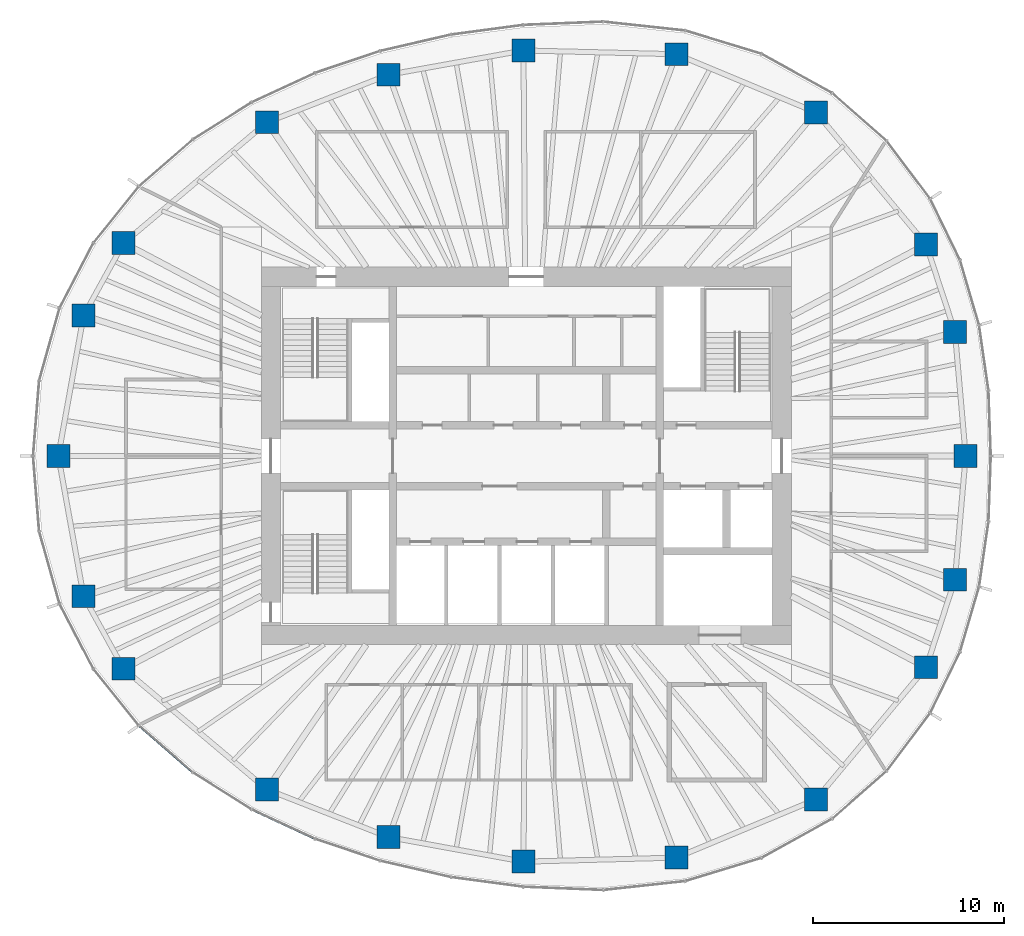
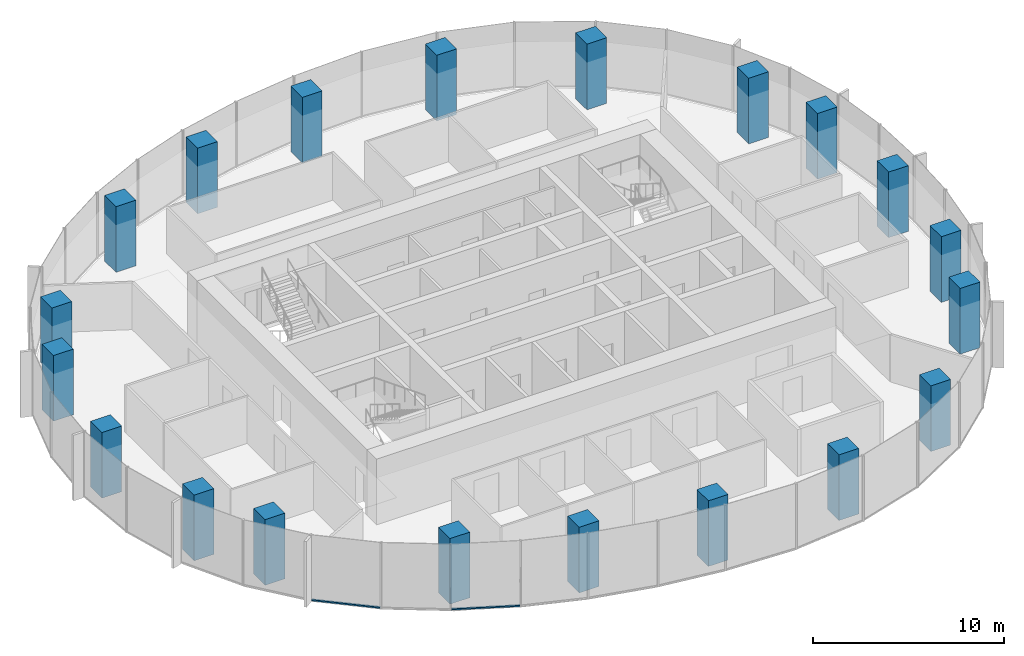
# One storey, part 1 of 11: 20 columns, 2 members, 2 elements without a shape of their own.
"""IFC4 building model written with IfcOpenShell, lengths in metres."""

from ifc_helpers import new_model, si_unit, direction, frame, origin, origin_2d, place, context, subcontext, project, spatial, rectangle, extrude, material, material_profile, profile_set, type_object, element, aggregate, save


model = new_model("IFC4")

# Units and contexts
model_context = context("Model", 3, precision=1e-05, world=origin(), true_north=direction((0.0, 1.0)))
body_context = subcontext(model_context, "Body", "Model", "MODEL_VIEW")
ifc_project = project(units=[si_unit("LENGTHUNIT", "METRE"), si_unit("AREAUNIT", "SQUARE_METRE"), si_unit("VOLUMEUNIT", "CUBIC_METRE"), si_unit("PLANEANGLEUNIT", "RADIAN"), si_unit("MASSUNIT", "GRAM", prefix="KILO")], contexts=[model_context])

# Site, building, storey
site_placement = place(None, origin())
site = spatial("IfcSite", under=ifc_project, at=site_placement, CompositionType="ELEMENT")
building_placement = place(site_placement, origin())
building = spatial("IfcBuilding", under=site, at=building_placement, Name="Ghaith Harvest Tower", CompositionType="ELEMENT")
storey_placement = place(building_placement, frame((0.0, 0.0, 275.39990234375)))
storey = spatial("IfcBuildingStorey", under=building, at=storey_placement, Name="L61", CompositionType="ELEMENT", Elevation=275.39990234375)

# Columns
ifc_material_1 = material(Name="Concrete C60/75", Category="concrete")
ifc_material_profile_1 = material_profile(ifc_material_1, rectangle(XDim=1.199951171875, YDim=1.199951171875, at=origin_2d()), Name="RC1200X1200")
ifc_profile_set_1 = profile_set([ifc_material_profile_1], Name="Concrete C60/75")
column_type = type_object("IfcColumnType", Name="TC6 RC1200X1200", PredefinedType="COLUMN", material=ifc_profile_set_1)
for number, where, z_axis, x_axis, name in (
    (1, (23.050048828125, 0.0, 0.0), (0.0, 0.0, 1.0), (1.0, 0.0, 0.0), "Perimeter column C01"),
    (2, (22.485107421875, 6.4990234375, 0.0), (0.0, 0.0, 1.0), (1.0, 0.0, 0.0), "Perimeter column C02"),
    (3, (20.97705078125, 11.087890625, 0.0), (0.0, 0.0, 1.0), (1.0, 0.0, 0.0), "Perimeter column C03"),
    (4, (15.197998046875, 18.02294921875, 0.0), (0.0, 0.0, 1.0), (1.0, 0.0, 0.0), "Perimeter column C04"),
    (5, (7.8779296875, 21.072021484375, 0.0), (0.0, 0.0, 1.0), (1.0, 0.0, 0.0), "Perimeter column C05"),
    (6, (-0.14599609375, 21.27099609375, 0.0), (0.0, 0.0, 1.0), (1.0, 0.0, 0.0), "Perimeter column C06"),
    (7, (-7.221923828125, 19.9970703125, 0.0), (0.0, 0.0, 1.0), (1.0, 0.0, 0.0), "Perimeter column C07"),
    (8, (-13.594970703125, 17.5048828125, 0.0), (0.0, 0.0, 1.0), (1.0, 0.0, 0.0), "Perimeter column C08"),
    (9, (-21.125, 11.166015625, 0.0), (0.0, 0.0, 1.0), (1.0, 0.0, 0.0), "Perimeter column C09"),
    (10, (-23.22412109375, 7.360107421875, 0.0), (0.0, 0.0, 1.0), (1.0, 0.0, 0.0), "Perimeter column C10"),
    (11, (-24.550048828125, 0.0, 0.0), (0.0, 0.0, 1.0), (1.0, 0.0, 0.0), "Perimeter column C11"),
    (12, (-23.22412109375, -7.360107421875, 0.0), (0.0, 0.0, 1.0), (1.0, 0.0, 0.0), "Perimeter column C12"),
    (13, (-21.125, -11.166015625, 0.0), (0.0, 0.0, 1.0), (1.0, 0.0, 0.0), "Perimeter column C13"),
    (14, (-13.594970703125, -17.5048828125, 0.0), (0.0, 0.0, 1.0), (1.0, 0.0, 0.0), "Perimeter column C14"),
    (15, (-7.221923828125, -19.9970703125, 0.0), (0.0, 0.0, 1.0), (1.0, 0.0, 0.0), "Perimeter column C15"),
    (16, (-0.14599609375, -21.285888671875, 0.0), (0.0, 0.0, 1.0), (1.0, 0.0, 0.0), "Perimeter column C16"),
    (17, (7.8779296875, -21.072021484375, 0.0), (0.0, 0.0, 1.0), (1.0, 0.0, 0.0), "Perimeter column C17"),
    (18, (15.197998046875, -18.02294921875, 0.0), (0.0, 0.0, 1.0), (1.0, 0.0, 0.0), "Perimeter column C18"),
    (19, (20.97705078125, -11.087890625, 0.0), (0.0, 0.0, 1.0), (1.0, 0.0, 0.0), "Perimeter column C19"),
    (20, (22.485107421875, -6.4990234375, 0.0), (0.0, 0.0, 1.0), (1.0, 0.0, 0.0), "Perimeter column C20"),
):
    element("IfcColumn", number, at=place(storey_placement, frame(where, z_axis=z_axis, x_axis=x_axis)), inside=storey, type_object=column_type, Name=name, PredefinedType="COLUMN", context=body_context, shape_type="SweptSolid", body=[
        extrude(rectangle(XDim=1.199951171875, YDim=1.199951171875, at=origin_2d()), origin(), (0.0, 0.0, 1.0), 4.2001953125),
    ])

# Curtain wall, member
ifc_material_2 = material(Name="Black anodised aluminium and fritted glass", Category="aluminium")
curtain_wall_type = type_object("IfcCurtainWallType", Name="CW-T CURTAIN WALL", PredefinedType="NOTDEFINED", material=ifc_material_2)
curtain_wall_1_placement = place(storey_placement, origin())
curtain_wall_1 = element("IfcCurtainWall", 21, at=curtain_wall_1_placement, inside=storey, type_object=curtain_wall_type, Name="Curtain wall CW-T bay 13 L61", PredefinedType="NOTDEFINED")
ifc_material_3 = material(Name="Aluminium, black anodised", Category="aluminium")
ifc_material_profile_2 = material_profile(ifc_material_3, rectangle(XDim=0.1201171875, YDim=0.080078125, at=origin_2d()), Name="CW-T TRANSOM 120x80")
ifc_profile_set_2 = profile_set([ifc_material_profile_2], Name="Aluminium, black anodised")
member_type = type_object("IfcMemberType", Name="CW-T TRANSOM 120x80", PredefinedType="USERDEFINED", material=ifc_profile_set_2)
member_1_placement = place(storey_placement, frame((-20.294189453125, -14.168212890625, 0.0400390625), z_axis=(0.754851889287, -0.65589528527, 0.0), x_axis=(0.65589528527, 0.754851889287, 0.0)))
member_1 = element("IfcMember", 22, at=member_1_placement, type_object=member_type, Name="CW-T transom 1 bay 13 L61", ObjectType="TRANSOM", PredefinedType="USERDEFINED", context=body_context, shape_type="SweptSolid", body=[
    extrude(rectangle(XDim=0.1201171875, YDim=0.080078125, at=origin_2d()), origin(), (0.0, 0.0, 1.0), 3.668701171875),
])
aggregate(curtain_wall_1, [member_1])

curtain_wall_2_placement = place(storey_placement, origin())
curtain_wall_2 = element("IfcCurtainWall", 23, at=curtain_wall_2_placement, inside=storey, type_object=curtain_wall_type, Name="Curtain wall CW-T bay 14 L61", PredefinedType="NOTDEFINED")
member_2_placement = place(storey_placement, frame((-14.36865234375, -18.564697265625, 0.0400390625), z_axis=(0.907472177056, -0.420112184862, 0.0), x_axis=(0.420112184862, 0.907472177056, 0.0)))
member_2 = element("IfcMember", 24, at=member_2_placement, type_object=member_type, Name="CW-T transom 1 bay 14 L61", ObjectType="TRANSOM", PredefinedType="USERDEFINED", context=body_context, shape_type="SweptSolid", body=[
    extrude(rectangle(XDim=0.1201171875, YDim=0.080078125, at=origin_2d()), origin(), (0.0, 0.0, 1.0), 3.597900390625),
])
aggregate(curtain_wall_2, [member_2])

save(model, "model.ifc")
